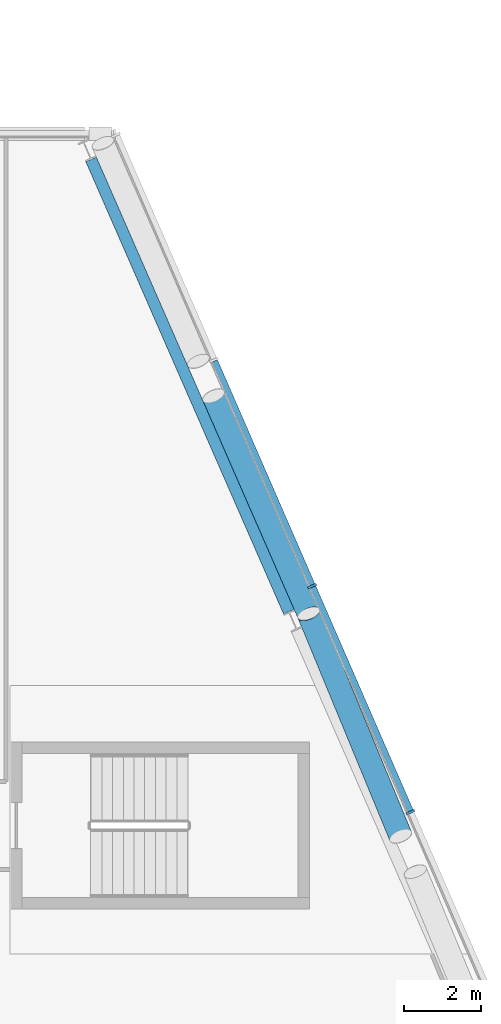
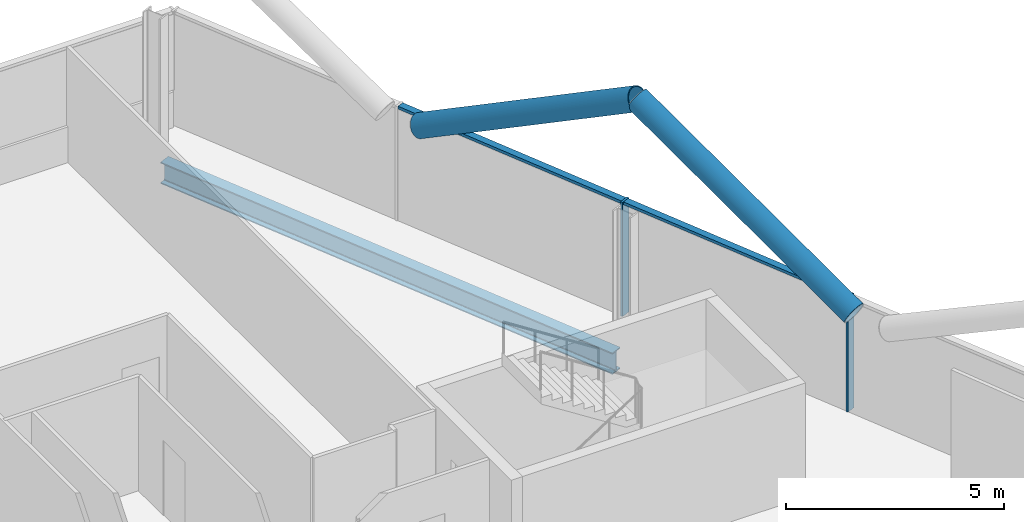
# One storey, part 9 of 27: 6 members, 1 beam, 1 element without a shape of its own.
"""IFC4 building model written with IfcOpenShell, lengths in metres."""

from ifc_helpers import new_model, si_unit, direction, frame, origin, origin_2d, place, context, subcontext, project, spatial, rectangle, hollow_circle, i_section, extrude, material, material_profile, profile_set, type_object, element, aggregate, save


model = new_model("IFC4")

# Units and contexts
model_context = context("Model", 3, precision=1e-05, world=origin(), true_north=direction((0.0, 1.0)))
body_context = subcontext(model_context, "Body", "Model", "MODEL_VIEW")
ifc_project = project(units=[si_unit("LENGTHUNIT", "METRE"), si_unit("AREAUNIT", "SQUARE_METRE"), si_unit("VOLUMEUNIT", "CUBIC_METRE"), si_unit("PLANEANGLEUNIT", "RADIAN"), si_unit("MASSUNIT", "GRAM", prefix="KILO")], contexts=[model_context])

# Site, building, storey
site_placement = place(None, origin())
site = spatial("IfcSite", under=ifc_project, at=site_placement, CompositionType="ELEMENT")
building_placement = place(site_placement, origin())
building = spatial("IfcBuilding", under=site, at=building_placement, Name="Wharfspan Tower", CompositionType="ELEMENT")
storey_placement = place(building_placement, frame((0.0, 0.0, 221.5)))
storey = spatial("IfcBuildingStorey", under=building, at=storey_placement, Name="L55", CompositionType="ELEMENT", Elevation=221.5)

# Beam
ifc_material_1 = material(Name="Steel S355J2", Category="steel")
ifc_material_profile_1 = material_profile(ifc_material_1, i_section(OverallWidth=0.300049, OverallDepth=0.600098, WebThickness=0.015381, FlangeThickness=0.030029, FilletRadius=0.0271, at=origin_2d()))
ifc_profile_set_1 = profile_set([ifc_material_profile_1], Name="Steel S355J2")
beam_type = type_object("IfcBeamType", Name="Edge beam HEB 600", PredefinedType="SPANDREL", material=ifc_profile_set_1)
beam_placement = place(storey_placement, frame((74.13208, 29.53125, -0.699951), z_axis=(-0.400619, 0.916245, 0.0), x_axis=(-0.916245, -0.400619, 0.0)))
element("IfcBeam", 1, at=beam_placement, inside=storey, type_object=beam_type, Name="Edge beam E L55 PE.2 to PE.3", PredefinedType="SPANDREL", context=body_context, shape_type="SweptSolid", body=[
    extrude(i_section(OverallWidth=0.300049, OverallDepth=0.600098, WebThickness=0.015381, FlangeThickness=0.030029, FilletRadius=0.0271, at=origin_2d()), origin(), (0.0, 0.0, 1.0), 12.883545),
])

# Curtain wall, members
ifc_material_2 = material(Name="Aluminium 6063-T6", Category="aluminium")
curtain_wall_type = type_object("IfcCurtainWallType", Name="CURTAIN WALL PROW AND END", PredefinedType="NOTDEFINED", material=ifc_material_2)
curtain_wall_placement = place(storey_placement, origin())
curtain_wall = element("IfcCurtainWall", 2, at=curtain_wall_placement, inside=storey, type_object=curtain_wall_type, Name="Curtain wall E", PredefinedType="NOTDEFINED")
ifc_material_profile_2 = material_profile(ifc_material_2, rectangle(XDim=0.23999, YDim=0.060059, at=origin_2d()))
ifc_profile_set_2 = profile_set([ifc_material_profile_2], Name="Aluminium 6063-T6")
member_type_1 = type_object("IfcMemberType", Name="MULLION PROW AND END 60x240", PredefinedType="MULLION", material=ifc_profile_set_2)
member_1_placement = place(storey_placement, frame((77.304443, 24.300049, 0.0), z_axis=(0.0, 0.0, 1.0), x_axis=(-0.917072, -0.398727, 0.0)))
member_1 = element("IfcMember", 3, at=member_1_placement, type_object=member_type_1, Name="Curtain wall E mullion 4", PredefinedType="MULLION", context=body_context, shape_type="SweptSolid", body=[
    extrude(rectangle(XDim=0.23999, YDim=0.060059, at=origin_2d()), origin(), (0.0, 0.0, 1.0), 3.199951),
])
member_2_placement = place(storey_placement, frame((74.739014, 30.199951, 0.0), z_axis=(0.0, 0.0, 1.0), x_axis=(-0.917072, -0.398727, 0.0)))
member_2 = element("IfcMember", 4, at=member_2_placement, type_object=member_type_1, Name="Curtain wall E mullion 5", PredefinedType="MULLION", context=body_context, shape_type="SweptSolid", body=[
    extrude(rectangle(XDim=0.23999, YDim=0.060059, at=origin_2d()), origin(), (0.0, 0.0, 1.0), 3.199951),
])

# Members
ifc_material_3 = material(Name="Steel S460NH", Category="steel")
ifc_material_profile_3 = material_profile(ifc_material_3, hollow_circle(Radius=0.304932, WallThickness=0.024902, at=origin_2d()))
ifc_profile_set_3 = profile_set([ifc_material_profile_3], Name="Steel S460NH")
member_type_2 = type_object("IfcMemberType", Name="Mega brace CHS 610x25", PredefinedType="BRACE", material=ifc_profile_set_3)
member_3_placement = place(storey_placement, frame((77.047607, 23.675049, 3.16748), z_axis=(-0.337038, 0.81638, 0.468967), x_axis=(-0.924329, -0.381603, -2e-06)))
element("IfcMember", 5, at=member_3_placement, inside=storey, type_object=member_type_2, Name="Mega brace E5 L55 part 2", PredefinedType="BRACE", context=body_context, shape_type="SweptSolid", body=[
    extrude(hollow_circle(Radius=0.304932, WallThickness=0.024902, at=origin_2d()), origin(), (0.0, 0.0, 1.0), 7.106201),
])
member_4_placement = place(storey_placement, frame((72.16748, 35.160156, 3.166748), z_axis=(0.352889, -0.807113, 0.473327), x_axis=(0.916248, 0.400606, 1e-06)))
element("IfcMember", 6, at=member_4_placement, inside=storey, type_object=member_type_2, Name="Mega brace E6 L55 part 4", PredefinedType="BRACE", context=body_context, shape_type="SweptSolid", body=[
    extrude(hollow_circle(Radius=0.304932, WallThickness=0.024902, at=origin_2d()), origin(), (0.0, 0.0, 1.0), 7.042236),
])

# Member
ifc_material_profile_4 = material_profile(ifc_material_2, rectangle(XDim=0.179932, YDim=0.080078, at=origin_2d()))
ifc_profile_set_4 = profile_set([ifc_material_profile_4], Name="Aluminium 6063-T6")
member_type_3 = type_object("IfcMemberType", Name="TRANSOM PROW AND END 80x180", PredefinedType="USERDEFINED", material=ifc_profile_set_4)
member_5_placement = place(storey_placement, frame((77.29248, 24.327393, 3.159912), z_axis=(-0.39874, 0.917064, 0.0), x_axis=(-0.917064, -0.39874, 0.0)))
member_5 = element("IfcMember", 7, at=member_5_placement, type_object=member_type_3, Name="Curtain wall E transom 4", ObjectType="TRANSOM", PredefinedType="USERDEFINED", context=body_context, shape_type="SweptSolid", body=[
    extrude(rectangle(XDim=0.179932, YDim=0.080078, at=origin_2d()), origin(), (0.0, 0.0, 1.0), 6.373779),
])

member_6_placement = place(storey_placement, frame((74.727051, 30.227539, 3.159912), z_axis=(-0.398722, 0.917072, 0.0), x_axis=(-0.917072, -0.398722, 0.0)))
member_6 = element("IfcMember", 8, at=member_6_placement, type_object=member_type_3, Name="Curtain wall E transom 5", ObjectType="TRANSOM", PredefinedType="USERDEFINED", context=body_context, shape_type="SweptSolid", body=[
    extrude(rectangle(XDim=0.179932, YDim=0.080078, at=origin_2d()), origin(), (0.0, 0.0, 1.0), 6.373535),
])

aggregate(curtain_wall, [member_1, member_2, member_5, member_6])

save(model, "model.ifc")
